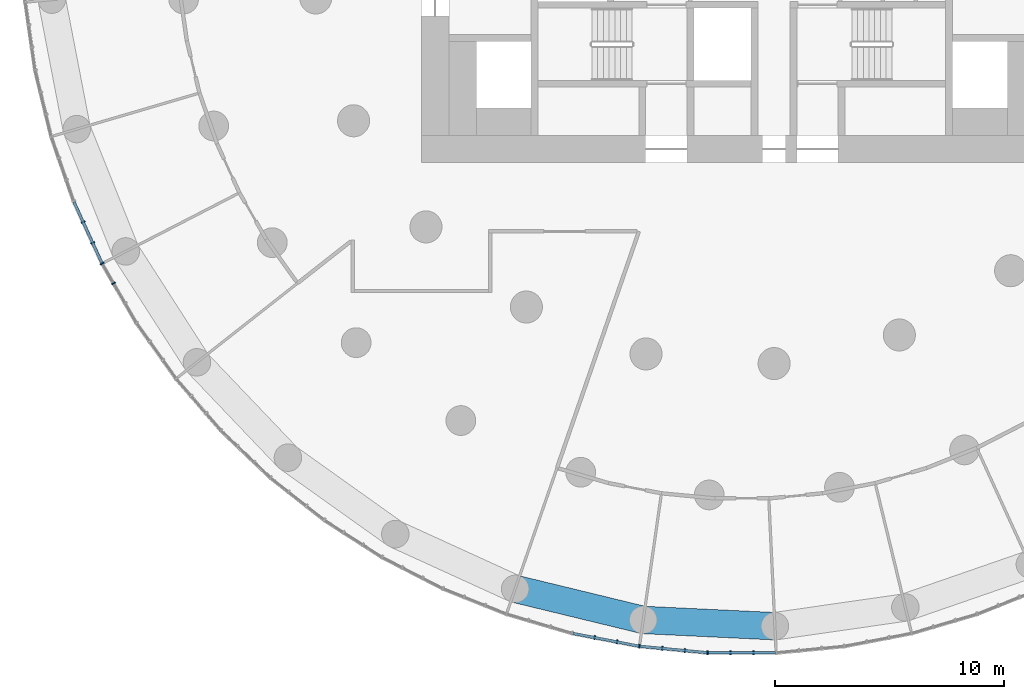
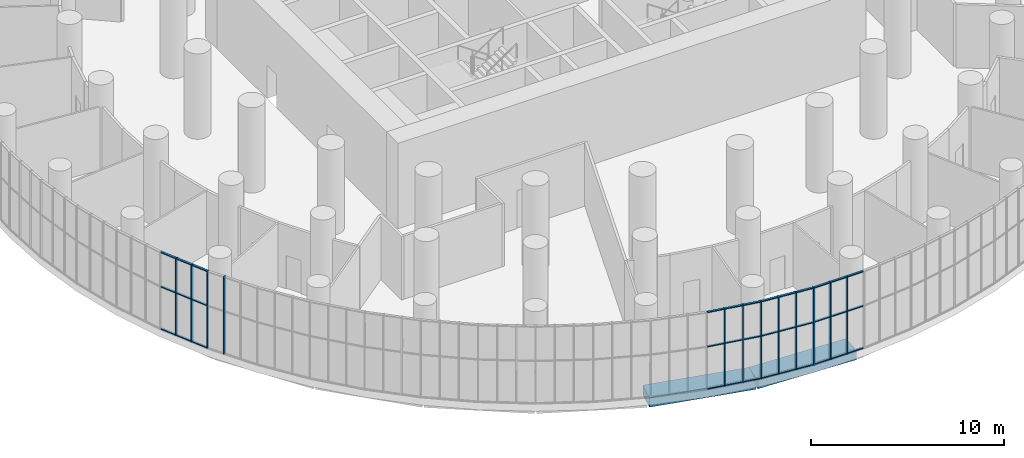
# One storey, part 3 of 27: 24 members, 2 beams, 5 elements without a shape of their own.
"""IFC4 building model written with IfcOpenShell, lengths in metres."""

from ifc_helpers import new_model, si_unit, direction, frame, origin, origin_2d, place, context, subcontext, project, spatial, rectangle, extrude, material, layer, layer_set, material_profile, profile_set, type_object, element, aggregate, save


model = new_model("IFC4")

# Units and contexts
model_context = context("Model", 3, precision=1e-05, world=origin(), true_north=direction((0.0, 1.0)))
body_context = subcontext(model_context, "Body", "Model", "MODEL_VIEW")
ifc_project = project(units=[si_unit("LENGTHUNIT", "METRE"), si_unit("AREAUNIT", "SQUARE_METRE"), si_unit("VOLUMEUNIT", "CUBIC_METRE"), si_unit("PLANEANGLEUNIT", "RADIAN"), si_unit("MASSUNIT", "GRAM", prefix="KILO")], contexts=[model_context])

# Site, building, storey
site_placement = place(None, origin())
site = spatial("IfcSite", under=ifc_project, at=site_placement, CompositionType="ELEMENT")
building_placement = place(site_placement, origin())
building = spatial("IfcBuilding", under=site, at=building_placement, Name="Tracery Tower", CompositionType="ELEMENT")
storey_placement = place(building_placement, frame((0.0, 0.0, 114.60009765625)))
storey = spatial("IfcBuildingStorey", under=building, at=storey_placement, Name="L29", CompositionType="ELEMENT", Elevation=114.60009765625)

# Beams
ifc_material_1 = material(Name="Concrete C60/75", Category="concrete")
ifc_material_profile_1 = material_profile(ifc_material_1, rectangle(XDim=1.199951171875, YDim=0.60009765625, at=origin_2d()), Name="RC 1200x600")
ifc_profile_set_1 = profile_set([ifc_material_profile_1], Name="Concrete C60/75")
beam_type = type_object("IfcBeamType", Name="Perimeter band beam 1200x600", PredefinedType="BEAM", material=ifc_profile_set_1)
beam_1_placement = place(storey_placement, frame((-9.90185546875, -28.609619140625, -0.75), z_axis=(0.971820371509, -0.235722645328, 0.0), x_axis=(0.235722645328, 0.971820371509, 0.0)))
element("IfcBeam", 1, at=beam_1_placement, inside=storey, type_object=beam_type, Name="Perimeter beam 0.23 under L29", PredefinedType="BEAM", context=body_context, shape_type="SweptSolid", body=[
    extrude(rectangle(XDim=1.199951171875, YDim=0.60009765625, at=origin_2d()), origin(), (0.0, 0.0, 1.0), 5.75537109375),
])
beam_2_placement = place(storey_placement, frame((-4.30859375, -29.96630859375, -0.75), z_axis=(0.998866793759, -0.047593364303, 0.0), x_axis=(0.047593364303, 0.998866793759, 0.0)))
element("IfcBeam", 2, at=beam_2_placement, inside=storey, type_object=beam_type, Name="Perimeter beam 0.24 under L29", PredefinedType="BEAM", context=body_context, shape_type="SweptSolid", body=[
    extrude(rectangle(XDim=1.199951171875, YDim=0.60009765625, at=origin_2d()), origin(), (0.0, 0.0, 1.0), 5.755615234375),
])

# Curtain wall, members
ifc_material_2 = material(Name="Aluminium curtain wall with tinted glass", Category="aluminium")
ifc_layer = layer(ifc_material_2, 0.179931640625)
ifc_layer_set = layer_set([ifc_layer], Name="Sky lounge 1 tracery curtain wall")
curtain_wall_type = type_object("IfcCurtainWallType", Name="Sky lounge 1 tracery curtain wall", PredefinedType="NOTDEFINED", material=ifc_layer_set)
curtain_wall_1_placement = place(storey_placement, origin())
curtain_wall_1 = element("IfcCurtainWall", 3, at=curtain_wall_1_placement, inside=storey, type_object=curtain_wall_type, Name="Sky lounge 1 curtain wall run 38", PredefinedType="NOTDEFINED")
ifc_material_3 = material(Name="Aluminium, bronze anodised", Category="aluminium")
ifc_material_profile_2 = material_profile(ifc_material_3, rectangle(XDim=0.179931640625, YDim=0.06005859375, at=origin_2d()), Name="AL 60x180")
ifc_profile_set_2 = profile_set([ifc_material_profile_2], Name="Aluminium, bronze anodised")
member_type_1 = type_object("IfcMemberType", Name="Sky lounge 1 mullion 60 x 180", PredefinedType="MULLION", material=ifc_profile_set_2)
member_1_placement = place(storey_placement, frame((-28.7685546875, -12.590087890625, 0.0), z_axis=(0.0, 0.0, 1.0), x_axis=(0.909631995358, 0.415415012995, 0.0)))
member_1 = element("IfcMember", 4, at=member_1_placement, type_object=member_type_1, Name="Sky lounge 1 curtain wall run 38 mullion 2", PredefinedType="MULLION", context=body_context, shape_type="SweptSolid", body=[
    extrude(rectangle(XDim=0.179931640625, YDim=0.06005859375, at=origin_2d()), origin(), (0.0, 0.0, 1.0), 4.89990234375),
])
member_2_placement = place(storey_placement, frame((-28.354248046875, -13.4970703125, 0.0), z_axis=(0.0, 0.0, 1.0), x_axis=(0.909631995358, 0.415415012995, 0.0)))
member_2 = element("IfcMember", 5, at=member_2_placement, type_object=member_type_1, Name="Sky lounge 1 curtain wall run 38 mullion 3", PredefinedType="MULLION", context=body_context, shape_type="SweptSolid", body=[
    extrude(rectangle(XDim=0.179931640625, YDim=0.06005859375, at=origin_2d()), origin(), (0.0, 0.0, 1.0), 4.89990234375),
])

curtain_wall_2_placement = place(storey_placement, origin())
curtain_wall_2 = element("IfcCurtainWall", 6, at=curtain_wall_2_placement, inside=storey, type_object=curtain_wall_type, Name="Sky lounge 1 curtain wall run 39", PredefinedType="NOTDEFINED")
member_3_placement = place(storey_placement, frame((-27.940185546875, -14.404052734375, 0.0), z_axis=(0.0, 0.0, 1.0), x_axis=(0.866025403784, 0.5, 0.0)))
member_3 = element("IfcMember", 7, at=member_3_placement, type_object=member_type_1, Name="Sky lounge 1 curtain wall run 39 mullion 1", PredefinedType="MULLION", context=body_context, shape_type="SweptSolid", body=[
    extrude(rectangle(XDim=0.179931640625, YDim=0.06005859375, at=origin_2d()), origin(), (0.0, 0.0, 1.0), 4.89990234375),
])
member_4_placement = place(storey_placement, frame((-27.44140625, -15.267578125, 0.0), z_axis=(0.0, 0.0, 1.0), x_axis=(0.866025403784, 0.5, 0.0)))
member_4 = element("IfcMember", 8, at=member_4_placement, type_object=member_type_1, Name="Sky lounge 1 curtain wall run 39 mullion 2", PredefinedType="MULLION", context=body_context, shape_type="SweptSolid", body=[
    extrude(rectangle(XDim=0.179931640625, YDim=0.06005859375, at=origin_2d()), origin(), (0.0, 0.0, 1.0), 4.89990234375),
])
aggregate(curtain_wall_2, [member_3, member_4])

curtain_wall_3_placement = place(storey_placement, origin())
curtain_wall_3 = element("IfcCurtainWall", 9, at=curtain_wall_3_placement, inside=storey, type_object=curtain_wall_type, Name="Sky lounge 1 curtain wall run 48", PredefinedType="NOTDEFINED")
member_5_placement = place(storey_placement, frame((-6.431884765625, -30.737060546875, 0.0), z_axis=(0.0, 0.0, 1.0), x_axis=(0.189251244359, 0.981928697263, 0.0)))
member_5 = element("IfcMember", 10, at=member_5_placement, type_object=member_type_1, Name="Sky lounge 1 curtain wall run 48 mullion 2", PredefinedType="MULLION", context=body_context, shape_type="SweptSolid", body=[
    extrude(rectangle(XDim=0.179931640625, YDim=0.06005859375, at=origin_2d()), origin(), (0.0, 0.0, 1.0), 4.89990234375),
])
member_6_placement = place(storey_placement, frame((-5.45263671875, -30.92578125, 0.0), z_axis=(0.0, 0.0, 1.0), x_axis=(0.189251244359, 0.981928697263, 0.0)))
member_6 = element("IfcMember", 11, at=member_6_placement, type_object=member_type_1, Name="Sky lounge 1 curtain wall run 48 mullion 3", PredefinedType="MULLION", context=body_context, shape_type="SweptSolid", body=[
    extrude(rectangle(XDim=0.179931640625, YDim=0.06005859375, at=origin_2d()), origin(), (0.0, 0.0, 1.0), 4.89990234375),
])

curtain_wall_4_placement = place(storey_placement, origin())
curtain_wall_4 = element("IfcCurtainWall", 12, at=curtain_wall_4_placement, inside=storey, type_object=curtain_wall_type, Name="Sky lounge 1 curtain wall run 49", PredefinedType="NOTDEFINED")
member_7_placement = place(storey_placement, frame((-4.4736328125, -31.114501953125, 0.0), z_axis=(0.0, 0.0, 1.0), x_axis=(0.095056043312, 0.995471922572, 0.0)))
member_7 = element("IfcMember", 13, at=member_7_placement, type_object=member_type_1, Name="Sky lounge 1 curtain wall run 49 mullion 1", PredefinedType="MULLION", context=body_context, shape_type="SweptSolid", body=[
    extrude(rectangle(XDim=0.179931640625, YDim=0.06005859375, at=origin_2d()), origin(), (0.0, 0.0, 1.0), 4.89990234375),
])
member_8_placement = place(storey_placement, frame((-3.48095703125, -31.209228515625, 0.0), z_axis=(0.0, 0.0, 1.0), x_axis=(0.095056043312, 0.995471922572, 0.0)))
member_8 = element("IfcMember", 14, at=member_8_placement, type_object=member_type_1, Name="Sky lounge 1 curtain wall run 49 mullion 2", PredefinedType="MULLION", context=body_context, shape_type="SweptSolid", body=[
    extrude(rectangle(XDim=0.179931640625, YDim=0.06005859375, at=origin_2d()), origin(), (0.0, 0.0, 1.0), 4.89990234375),
])
member_9_placement = place(storey_placement, frame((-2.48828125, -31.30419921875, 0.0), z_axis=(0.0, 0.0, 1.0), x_axis=(0.095056043312, 0.995471922572, 0.0)))
member_9 = element("IfcMember", 15, at=member_9_placement, type_object=member_type_1, Name="Sky lounge 1 curtain wall run 49 mullion 3", PredefinedType="MULLION", context=body_context, shape_type="SweptSolid", body=[
    extrude(rectangle(XDim=0.179931640625, YDim=0.06005859375, at=origin_2d()), origin(), (0.0, 0.0, 1.0), 4.89990234375),
])

curtain_wall_5_placement = place(storey_placement, origin())
curtain_wall_5 = element("IfcCurtainWall", 16, at=curtain_wall_5_placement, inside=storey, type_object=curtain_wall_type, Name="Sky lounge 1 curtain wall run 50", PredefinedType="NOTDEFINED")
member_10_placement = place(storey_placement, frame((-1.49560546875, -31.39892578125, 0.0), z_axis=(0.0, 0.0, 1.0), x_axis=(0.0, 1.0, 0.0)))
member_10 = element("IfcMember", 17, at=member_10_placement, type_object=member_type_1, Name="Sky lounge 1 curtain wall run 50 mullion 1", PredefinedType="MULLION", context=body_context, shape_type="SweptSolid", body=[
    extrude(rectangle(XDim=0.179931640625, YDim=0.06005859375, at=origin_2d()), origin(), (0.0, 0.0, 1.0), 4.89990234375),
])
member_11_placement = place(storey_placement, frame((-0.49853515625, -31.39892578125, 0.0), z_axis=(0.0, 0.0, 1.0), x_axis=(0.0, 1.0, 0.0)))
member_11 = element("IfcMember", 18, at=member_11_placement, type_object=member_type_1, Name="Sky lounge 1 curtain wall run 50 mullion 2", PredefinedType="MULLION", context=body_context, shape_type="SweptSolid", body=[
    extrude(rectangle(XDim=0.179931640625, YDim=0.06005859375, at=origin_2d()), origin(), (0.0, 0.0, 1.0), 4.89990234375),
])
member_12_placement = place(storey_placement, frame((0.49853515625, -31.39892578125, 0.0), z_axis=(0.0, 0.0, 1.0), x_axis=(0.0, 1.0, 0.0)))
member_12 = element("IfcMember", 19, at=member_12_placement, type_object=member_type_1, Name="Sky lounge 1 curtain wall run 50 mullion 3", PredefinedType="MULLION", context=body_context, shape_type="SweptSolid", body=[
    extrude(rectangle(XDim=0.179931640625, YDim=0.06005859375, at=origin_2d()), origin(), (0.0, 0.0, 1.0), 4.89990234375),
])

# Member
ifc_material_4 = material(Name="Aluminium, bronze anodised", Category="aluminium")
ifc_material_profile_3 = material_profile(ifc_material_4, rectangle(XDim=0.1201171875, YDim=0.06005859375, at=origin_2d()), Name="AL 60x120")
ifc_profile_set_3 = profile_set([ifc_material_profile_3], Name="Aluminium, bronze anodised")
member_type_2 = type_object("IfcMemberType", Name="Sky lounge 1 transom 60 x 120", PredefinedType="USERDEFINED", material=ifc_profile_set_3)
member_13_placement = place(storey_placement, frame((-29.17041015625, -11.710205078125, 0.02978515625), z_axis=(0.41538972721, -0.909643542564, 0.0), x_axis=(0.909643542564, 0.41538972721, 0.0)))
member_13 = element("IfcMember", 20, at=member_13_placement, type_object=member_type_2, Name="Sky lounge 1 curtain wall run 38 transom 1", ObjectType="TRANSOM", PredefinedType="USERDEFINED", context=body_context, shape_type="SweptSolid", body=[
    extrude(rectangle(XDim=0.1201171875, YDim=0.06005859375, at=origin_2d()), origin(), (0.0, 0.0, 1.0), 2.931640625),
])

member_14_placement = place(storey_placement, frame((-29.17041015625, -11.710205078125, 2.699951171875), z_axis=(0.41538972721, -0.909643542564, 0.0), x_axis=(0.909643542564, 0.41538972721, 0.0)))
member_14 = element("IfcMember", 21, at=member_14_placement, type_object=member_type_2, Name="Sky lounge 1 curtain wall run 38 transom 2", ObjectType="TRANSOM", PredefinedType="USERDEFINED", context=body_context, shape_type="SweptSolid", body=[
    extrude(rectangle(XDim=0.1201171875, YDim=0.06005859375, at=origin_2d()), origin(), (0.0, 0.0, 1.0), 2.931640625),
])

member_15_placement = place(storey_placement, frame((-29.17041015625, -11.710205078125, 4.869873046875), z_axis=(0.41538972721, -0.909643542564, 0.0), x_axis=(0.909643542564, 0.41538972721, 0.0)))
member_15 = element("IfcMember", 22, at=member_15_placement, type_object=member_type_2, Name="Sky lounge 1 curtain wall run 38 transom 3", ObjectType="TRANSOM", PredefinedType="USERDEFINED", context=body_context, shape_type="SweptSolid", body=[
    extrude(rectangle(XDim=0.1201171875, YDim=0.06005859375, at=origin_2d()), origin(), (0.0, 0.0, 1.0), 2.931640625),
])

aggregate(curtain_wall_1, [member_1, member_2, member_13, member_14, member_15])

member_16_placement = place(storey_placement, frame((-7.381591796875, -30.55419921875, 0.02978515625), z_axis=(0.981933900995, -0.189224242838, 0.0), x_axis=(0.189224242838, 0.981933900995, 0.0)))
member_16 = element("IfcMember", 23, at=member_16_placement, type_object=member_type_2, Name="Sky lounge 1 curtain wall run 48 transom 1", ObjectType="TRANSOM", PredefinedType="USERDEFINED", context=body_context, shape_type="SweptSolid", body=[
    extrude(rectangle(XDim=0.1201171875, YDim=0.06005859375, at=origin_2d()), origin(), (0.0, 0.0, 1.0), 2.931396484375),
])

member_17_placement = place(storey_placement, frame((-7.381591796875, -30.55419921875, 2.699951171875), z_axis=(0.981933900995, -0.189224242838, 0.0), x_axis=(0.189224242838, 0.981933900995, 0.0)))
member_17 = element("IfcMember", 24, at=member_17_placement, type_object=member_type_2, Name="Sky lounge 1 curtain wall run 48 transom 2", ObjectType="TRANSOM", PredefinedType="USERDEFINED", context=body_context, shape_type="SweptSolid", body=[
    extrude(rectangle(XDim=0.1201171875, YDim=0.06005859375, at=origin_2d()), origin(), (0.0, 0.0, 1.0), 2.931396484375),
])

member_18_placement = place(storey_placement, frame((-7.381591796875, -30.55419921875, 4.869873046875), z_axis=(0.981933900995, -0.189224242838, 0.0), x_axis=(0.189224242838, 0.981933900995, 0.0)))
member_18 = element("IfcMember", 25, at=member_18_placement, type_object=member_type_2, Name="Sky lounge 1 curtain wall run 48 transom 3", ObjectType="TRANSOM", PredefinedType="USERDEFINED", context=body_context, shape_type="SweptSolid", body=[
    extrude(rectangle(XDim=0.1201171875, YDim=0.06005859375, at=origin_2d()), origin(), (0.0, 0.0, 1.0), 2.931396484375),
])

aggregate(curtain_wall_3, [member_5, member_6, member_16, member_17, member_18])

member_19_placement = place(storey_placement, frame((-4.44384765625, -31.117431640625, 0.02978515625), z_axis=(0.995474862458, -0.095025250403, 0.0), x_axis=(0.095025250403, 0.995474862458, 0.0)))
member_19 = element("IfcMember", 26, at=member_19_placement, type_object=member_type_2, Name="Sky lounge 1 curtain wall run 49 transom 1", ObjectType="TRANSOM", PredefinedType="USERDEFINED", context=body_context, shape_type="SweptSolid", body=[
    extrude(rectangle(XDim=0.1201171875, YDim=0.06005859375, at=origin_2d()), origin(), (0.0, 0.0, 1.0), 2.931396484375),
])

member_20_placement = place(storey_placement, frame((-4.44384765625, -31.117431640625, 2.699951171875), z_axis=(0.995474862458, -0.095025250403, 0.0), x_axis=(0.095025250403, 0.995474862458, 0.0)))
member_20 = element("IfcMember", 27, at=member_20_placement, type_object=member_type_2, Name="Sky lounge 1 curtain wall run 49 transom 2", ObjectType="TRANSOM", PredefinedType="USERDEFINED", context=body_context, shape_type="SweptSolid", body=[
    extrude(rectangle(XDim=0.1201171875, YDim=0.06005859375, at=origin_2d()), origin(), (0.0, 0.0, 1.0), 2.931396484375),
])

member_21_placement = place(storey_placement, frame((-4.44384765625, -31.117431640625, 4.869873046875), z_axis=(0.995474862458, -0.095025250403, 0.0), x_axis=(0.095025250403, 0.995474862458, 0.0)))
member_21 = element("IfcMember", 28, at=member_21_placement, type_object=member_type_2, Name="Sky lounge 1 curtain wall run 49 transom 3", ObjectType="TRANSOM", PredefinedType="USERDEFINED", context=body_context, shape_type="SweptSolid", body=[
    extrude(rectangle(XDim=0.1201171875, YDim=0.06005859375, at=origin_2d()), origin(), (0.0, 0.0, 1.0), 2.931396484375),
])

aggregate(curtain_wall_4, [member_7, member_8, member_9, member_19, member_20, member_21])

member_22_placement = place(storey_placement, frame((-1.4658203125, -31.39892578125, 0.02978515625), z_axis=(1.0, 0.0, 0.0), x_axis=(0.0, 1.0, 0.0)))
member_22 = element("IfcMember", 29, at=member_22_placement, type_object=member_type_2, Name="Sky lounge 1 curtain wall run 50 transom 1", ObjectType="TRANSOM", PredefinedType="USERDEFINED", context=body_context, shape_type="SweptSolid", body=[
    extrude(rectangle(XDim=0.1201171875, YDim=0.06005859375, at=origin_2d()), origin(), (0.0, 0.0, 1.0), 2.931640625),
])

member_23_placement = place(storey_placement, frame((-1.4658203125, -31.39892578125, 2.699951171875), z_axis=(1.0, 0.0, 0.0), x_axis=(0.0, 1.0, 0.0)))
member_23 = element("IfcMember", 30, at=member_23_placement, type_object=member_type_2, Name="Sky lounge 1 curtain wall run 50 transom 2", ObjectType="TRANSOM", PredefinedType="USERDEFINED", context=body_context, shape_type="SweptSolid", body=[
    extrude(rectangle(XDim=0.1201171875, YDim=0.06005859375, at=origin_2d()), origin(), (0.0, 0.0, 1.0), 2.931640625),
])

member_24_placement = place(storey_placement, frame((-1.4658203125, -31.39892578125, 4.869873046875), z_axis=(1.0, 0.0, 0.0), x_axis=(0.0, 1.0, 0.0)))
member_24 = element("IfcMember", 31, at=member_24_placement, type_object=member_type_2, Name="Sky lounge 1 curtain wall run 50 transom 3", ObjectType="TRANSOM", PredefinedType="USERDEFINED", context=body_context, shape_type="SweptSolid", body=[
    extrude(rectangle(XDim=0.1201171875, YDim=0.06005859375, at=origin_2d()), origin(), (0.0, 0.0, 1.0), 2.931640625),
])

aggregate(curtain_wall_5, [member_10, member_11, member_12, member_22, member_23, member_24])

save(model, "model.ifc")
